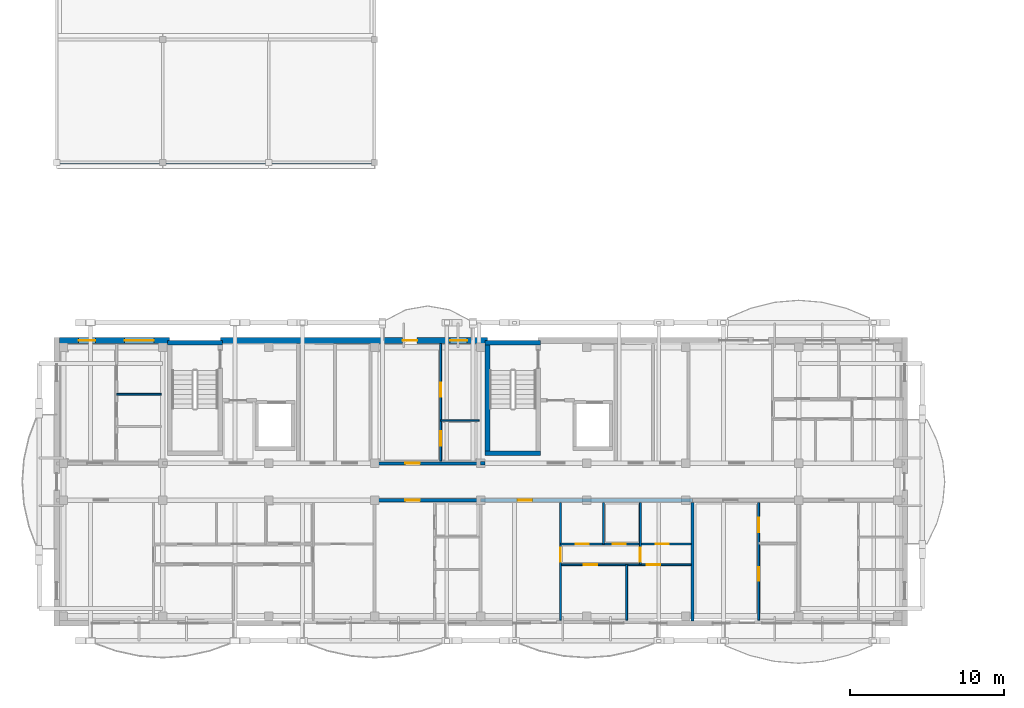
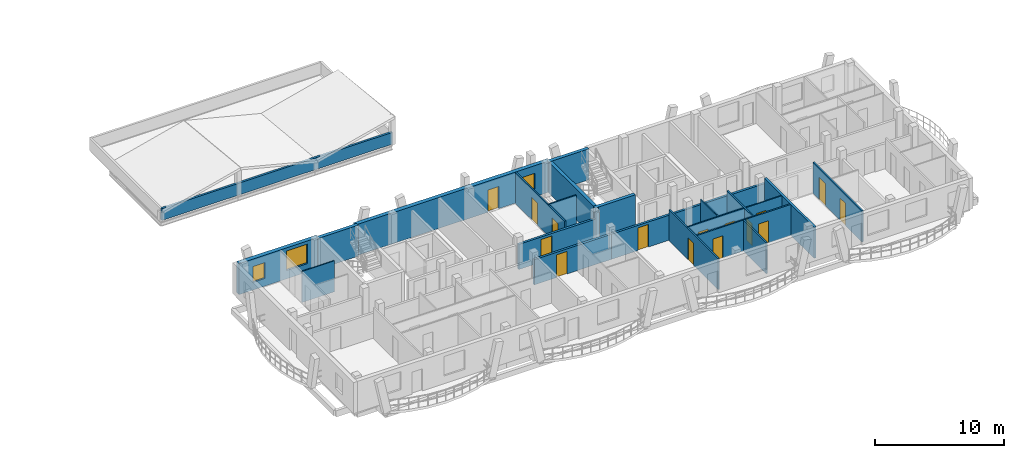
# One storey, part 19 of 50: 22 walls, 15 doors, 3 windows, 18 openings.
"""IFC4 building model written with IfcOpenShell, lengths in metres."""

import ifcopenshell
import ifcopenshell.guid

model = None  # the IFC model being written
_history = None  # IfcOwnerHistory: only IFC2X3 demands one
_inside = {}  # id of a spatial element -> (the spatial element, [elements in it])
_under = {}  # id of a project, library or spatial element -> (it, [spatial elements below it])
_declared = {}  # id of a project -> (the project, [libraries it declares])
_typed = {}  # id of a type object -> (the type object, [elements of that type])
_made_of = {}  # id of a material, layer set ... -> (it, [elements and type objects made of it])


def new_model(schema):
    """Start an empty IFC model of exactly this schema.

    Asked for "IFC4X3", IfcOpenShell would pick the latest addendum, in which some entities
    have other attributes; the version numbers below select the first issue.
    IFC2X3 requires an IfcOwnerHistory on every rooted entity: one is made here for all.
    """
    global model, _history
    if schema == "IFC4X3":
        model = ifcopenshell.file(schema_version=(4, 3, 0, 0))
    else:
        model = ifcopenshell.file(schema=schema)
    _inside.clear()
    _under.clear()
    _declared.clear()
    _typed.clear()
    _made_of.clear()
    _history = None
    if model.schema == "IFC2X3":
        org = make("IfcOrganization", Name="unknown")
        user = make(
            "IfcPersonAndOrganization",
            ThePerson=make("IfcPerson", FamilyName="unknown"),
            TheOrganization=org,
        )
        app = make(
            "IfcApplication",
            ApplicationDeveloper=org,
            Version="unknown",
            ApplicationFullName="unknown",
            ApplicationIdentifier="unknown",
        )
        _history = make(
            "IfcOwnerHistory",
            OwningUser=user,
            OwningApplication=app,
            ChangeAction="ADDED",
            CreationDate=0,
        )
    return model


def make(cls, **values):
    """One entity of the class cls with the attributes given. An attribute that is None is left unset."""
    return model.create_entity(
        cls, **{name: value for name, value in values.items() if value is not None}
    )


def rooted(cls, **values):
    """An entity with a GlobalId (a new one), such as an element, a storey or a relation."""
    return make(cls, GlobalId=ifcopenshell.guid.new(), OwnerHistory=_history, **values)


def si_unit(unit_type, name, prefix=None):
    """IfcSIUnit, for example si_unit("LENGTHUNIT", "METRE", prefix="MILLI")."""
    return make("IfcSIUnit", UnitType=unit_type, Prefix=prefix, Name=name)


def assignment(units):
    """IfcUnitAssignment: the units of a project."""
    return None if units is None else make("IfcUnitAssignment", Units=units)


def point(xyz):
    """IfcCartesianPoint."""
    return None if xyz is None else make("IfcCartesianPoint", Coordinates=xyz)


def direction(xyz):
    """IfcDirection."""
    return None if xyz is None else make("IfcDirection", DirectionRatios=xyz)


def frame(location, z_axis=None, x_axis=None):
    """IfcAxis2Placement3D, a coordinate frame: its origin and axes. An axis left out is left unset."""
    return make(
        "IfcAxis2Placement3D",
        Location=point(location),
        Axis=direction(z_axis),
        RefDirection=direction(x_axis),
    )


def frame_2d(location, x_axis=None):
    """IfcAxis2Placement2D, a coordinate frame in the plane: its origin and x axis."""
    return make(
        "IfcAxis2Placement2D", Location=point(location), RefDirection=direction(x_axis)
    )


def origin():
    """The frame at (0, 0, 0) with its axes left unset."""
    return frame((0.0, 0.0, 0.0))


def origin_with_axes():
    """The frame at (0, 0, 0) with the z axis (0, 0, 1) and the x axis (1, 0, 0) written out."""
    return frame((0.0, 0.0, 0.0), z_axis=(0.0, 0.0, 1.0), x_axis=(1.0, 0.0, 0.0))


def place(relative_to, where):
    """IfcLocalPlacement: puts the frame where relative to a parent placement (None: the world)."""
    return make(
        "IfcLocalPlacement", PlacementRelTo=relative_to, RelativePlacement=where
    )


def context(
    kind, dimensions, precision=None, world=None, true_north=None, identifier=None
):
    """IfcGeometricRepresentationContext, for example the 3D "Model" context."""
    return make(
        "IfcGeometricRepresentationContext",
        ContextIdentifier=identifier,
        ContextType=kind,
        CoordinateSpaceDimension=dimensions,
        Precision=precision,
        WorldCoordinateSystem=world,
        TrueNorth=true_north,
    )


def subcontext(parent, identifier, kind, view, scale=None):
    """IfcGeometricRepresentationSubContext, for example "Body" below "Model"."""
    return make(
        "IfcGeometricRepresentationSubContext",
        ContextIdentifier=identifier,
        ContextType=kind,
        ParentContext=parent,
        TargetScale=scale,
        TargetView=view,
    )


def project(units=None, contexts=None):
    """IfcProject with its units and contexts."""
    return rooted(
        "IfcProject",
        Name="project",
        RepresentationContexts=contexts,
        UnitsInContext=assignment(units),
    )


def spatial(cls, under=None, at=None, **own):
    """A site, building, storey or space (cls), placed at a placement, below another one or the project."""
    s = rooted(cls, ObjectPlacement=at, **own)
    if under is not None:
        _under.setdefault(under.id(), (under, []))[1].append(s)
    return s


def profile(cls, at=None, kind="AREA", **sizes):
    """A parametric profile (cls). Its sizes go by their IFC names, for example OverallWidth=200.0."""
    return make(cls, ProfileType=kind, Position=at, **sizes)


def rectangle(**sizes):
    """IfcRectangleProfileDef."""
    return profile("IfcRectangleProfileDef", **sizes)


def extrude(swept, where, along, depth):
    """IfcExtrudedAreaSolid: the profile swept, set in the frame where, extruded along a direction by depth."""
    return make(
        "IfcExtrudedAreaSolid",
        SweptArea=swept,
        Position=where,
        ExtrudedDirection=direction(along),
        Depth=depth,
    )


def shape(context_of_items, identifier, shape_type, items):
    """IfcShapeRepresentation: the items that make up one representation, for example the "Body"."""
    return make(
        "IfcShapeRepresentation",
        ContextOfItems=context_of_items,
        RepresentationIdentifier=identifier,
        RepresentationType=shape_type,
        Items=items,
    )


def material(Name=None, Category=None):
    """IfcMaterial."""
    return make("IfcMaterial", Name=Name, Category=Category)


def layer(
    of_material, thickness, ventilated=None, Name=None, Category=None, Priority=None
):
    """IfcMaterialLayer: one layer of a wall or slab, of a material (None: an air gap)."""
    return make(
        "IfcMaterialLayer",
        Material=of_material,
        LayerThickness=thickness,
        IsVentilated=ventilated,
        Name=Name,
        Category=Category,
        Priority=Priority,
    )


def layer_set(layers, Name=None):
    """IfcMaterialLayerSet."""
    return make("IfcMaterialLayerSet", MaterialLayers=layers, LayerSetName=Name)


def made_of(thing, what):
    """Note that an element or type object is made of a material, layer set ...; save() writes the relation."""
    if what is not None:
        _made_of.setdefault(what.id(), (what, []))[1].append(thing)
    return thing


def type_object(cls, material=None, **own):
    """A type object (cls), such as IfcWallType, which elements share."""
    return made_of(rooted(cls, **own), material)


def element(
    cls,
    number,
    at=None,
    inside=None,
    cuts=None,
    type_object=None,
    material=None,
    context=None,
    identifier="Body",
    shape_type=None,
    held_by="IfcProductDefinitionShape",
    body=None,
    shapes=None,
    **own,
):
    """One element of the class cls, such as IfcWall. Its Tag is "e" and its number.

    at: its placement. inside: the storey or other place that contains it. cuts: it is an
    opening in that element (IfcRelVoidsElement). A single representation is given by context,
    identifier, shape_type and body (its items); several are given by shapes. held_by: the class
    of the entity that holds the representations. save() writes the other relations.
    """
    e = rooted(cls, Tag="e%d" % number, ObjectPlacement=at, **own)
    if body is not None:
        shapes = [shape(context, identifier, shape_type, body)]
    if shapes is not None:
        e.Representation = make(held_by, Representations=shapes)
    if inside is not None:
        _inside.setdefault(inside.id(), (inside, []))[1].append(e)
    if cuts is not None:
        rooted(
            "IfcRelVoidsElement", RelatingBuildingElement=cuts, RelatedOpeningElement=e
        )
    if type_object is not None:
        _typed.setdefault(type_object.id(), (type_object, []))[1].append(e)
    return made_of(e, material)


def fill(opening, filler):
    """IfcRelFillsElement: the door or window that sits in an opening."""
    return rooted(
        "IfcRelFillsElement",
        RelatingOpeningElement=opening,
        RelatedBuildingElement=filler,
    )


def aggregate(whole, parts):
    """IfcRelAggregates: a whole, such as a stair, and the parts it consists of."""
    return rooted("IfcRelAggregates", RelatingObject=whole, RelatedObjects=parts)


def save(model, path):
    """Write the relations noted so far, then the file.

    IfcRelAggregates (storeys below a building ...), IfcRelContainedInSpatialStructure (elements
    in a storey), IfcRelDefinesByType, IfcRelAssociatesMaterial and IfcRelDeclares: one each for
    every whole, place, type object, material and project.
    """
    for whole, parts in _under.values():
        aggregate(whole, parts)
    for where, things in _inside.values():
        rooted(
            "IfcRelContainedInSpatialStructure",
            RelatedElements=things,
            RelatingStructure=where,
        )
    for kind, things in _typed.values():
        rooted("IfcRelDefinesByType", RelatedObjects=things, RelatingType=kind)
    for what, things in _made_of.values():
        rooted("IfcRelAssociatesMaterial", RelatedObjects=things, RelatingMaterial=what)
    for by, libraries in _declared.values():
        rooted("IfcRelDeclares", RelatingContext=by, RelatedDefinitions=libraries)
    model.write(path)


model = new_model("IFC4")

# Units and contexts
model_context = context("Model", 3, precision=1e-05, world=origin(), true_north=direction((0.0, 1.0)))
body_context = subcontext(model_context, "Body", "Model", "MODEL_VIEW")
ifc_project = project(units=[si_unit("LENGTHUNIT", "METRE"), si_unit("AREAUNIT", "SQUARE_METRE"), si_unit("VOLUMEUNIT", "CUBIC_METRE"), si_unit("PLANEANGLEUNIT", "RADIAN"), si_unit("MASSUNIT", "GRAM", prefix="KILO")], contexts=[model_context])

# Site, building, storey
site_placement = place(None, origin())
site = spatial("IfcSite", under=ifc_project, at=site_placement, CompositionType="ELEMENT")
building_placement = place(site_placement, origin())
building = spatial("IfcBuilding", under=site, at=building_placement, Name="Zavelmont Quarter", CompositionType="ELEMENT")
storey_placement = place(building_placement, frame((0.0, 0.0, 11.199951171875)))
storey = spatial("IfcBuildingStorey", under=building, at=storey_placement, Name="L03", CompositionType="ELEMENT", Elevation=11.199951171875)

# Wall, openings, windows
ifc_material_1 = material(Name="Natural Belgian limestone", Category="masonry")
ifc_layer_1 = layer(ifc_material_1, 0.360107421875)
ifc_layer_set_1 = layer_set([ifc_layer_1], Name="Natural Belgian limestone")
wall_type_1 = type_object("IfcWallType", Name="EW02", PredefinedType="STANDARD", material=ifc_layer_set_1)
wall_1_placement = place(storey_placement, frame((0.169921875, 18.39990234375, 0.0), z_axis=(0.0, 0.0, 1.0), x_axis=(1.0, 0.0, 0.0)))
wall_1 = element("IfcWall", 1, at=wall_1_placement, inside=storey, type_object=wall_type_1, Name="L03 exterior limestone wall EW02", PredefinedType="STANDARD", context=body_context, shape_type="SweptSolid", body=[
    extrude(rectangle(XDim=7.18017578125, YDim=0.360107421875, at=frame_2d((3.590087890625, 0.0))), origin(), (0.0, 0.0, 1.0), 2.93994140625),
])
opening_1_placement = place(wall_1_placement, frame((1.25, 0.0, 0.719970703125)))
opening_1 = element("IfcOpeningElement", 2, at=opening_1_placement, cuts=wall_1, Name="Opening WN09", PredefinedType="OPENING", context=body_context, shape_type="SweptSolid", body=[
    extrude(rectangle(XDim=1.10009765625, YDim=1.5, at=frame_2d((0.550048828125, 0.75))), frame((0.0, 0.19189453125, 0.0), z_axis=(0.0, -1.0, 0.0), x_axis=(1.0, 0.0, 0.0)), (0.0, 0.0, 1.0), 0.384033203125),
])
opening_2_placement = place(wall_1_placement, frame((4.25, 0.0, 0.800048828125)))
opening_2 = element("IfcOpeningElement", 3, at=opening_2_placement, cuts=wall_1, Name="Opening WN20", PredefinedType="OPENING", context=body_context, shape_type="SweptSolid", body=[
    extrude(rectangle(XDim=1.89990234375, YDim=1.85009765625, at=frame_2d((0.949951171875, 0.925048828125))), frame((0.0, 0.19189453125, 0.0), z_axis=(0.0, -1.0, 0.0), x_axis=(1.0, 0.0, 0.0)), (0.0, 0.0, 1.0), 0.384033203125),
])
ifc_material_2 = material(Name="Double low-E insulated glazing in thermally broken aluminium frame", Category="aluminium")
window_type_1 = type_object("IfcWindowType", Name="WN09", PartitioningType="SINGLE_PANEL", PredefinedType="WINDOW", material=ifc_material_2)
window_1_placement = place(opening_1_placement, origin_with_axes())
window_1 = element("IfcWindow", 4, at=window_1_placement, inside=storey, type_object=window_type_1, Name="L03 window WN09", OverallHeight=1.5, OverallWidth=1.10009765625, PartitioningType="SINGLE_PANEL", PredefinedType="WINDOW", context=body_context, shape_type="SweptSolid", body=[
    extrude(rectangle(XDim=1.10009765625, YDim=1.5, at=frame_2d((0.550048828125, 0.75))), frame((0.0, 0.030029296875, 0.0), z_axis=(0.0, -1.0, 0.0), x_axis=(1.0, 0.0, 0.0)), (0.0, 0.0, 1.0), 0.06005859375),
])
fill(opening_1, window_1)
window_type_2 = type_object("IfcWindowType", Name="WN20", PartitioningType="SINGLE_PANEL", PredefinedType="WINDOW", material=ifc_material_2)
window_2_placement = place(opening_2_placement, origin_with_axes())
window_2 = element("IfcWindow", 5, at=window_2_placement, inside=storey, type_object=window_type_2, Name="L03 window WN20", OverallHeight=1.85009765625, OverallWidth=1.89990234375, PartitioningType="SINGLE_PANEL", PredefinedType="WINDOW", context=body_context, shape_type="SweptSolid", body=[
    extrude(rectangle(XDim=1.89990234375, YDim=1.85009765625, at=frame_2d((0.949951171875, 0.925048828125))), frame((0.0, 0.030029296875, 0.0), z_axis=(0.0, -1.0, 0.0), x_axis=(1.0, 0.0, 0.0)), (0.0, 0.0, 1.0), 0.06005859375),
])
fill(opening_2, window_2)

# Wall, openings, door, window
wall_2_placement = place(storey_placement, frame((10.64990234375, 18.39990234375, 0.0), z_axis=(0.0, 0.0, 1.0), x_axis=(1.0, 0.0, 0.0)))
wall_2 = element("IfcWall", 6, at=wall_2_placement, inside=storey, type_object=wall_type_1, Name="L03 exterior limestone wall EW02", PredefinedType="STANDARD", context=body_context, shape_type="SweptSolid", body=[
    extrude(rectangle(XDim=17.400146484375, YDim=0.360107421875, at=frame_2d((8.7001953125, 0.0))), origin(), (0.0, 0.0, 1.0), 2.93994140625),
])
opening_3_placement = place(wall_2_placement, frame((11.8701171875, 0.0, 0.0)))
opening_3 = element("IfcOpeningElement", 7, at=opening_3_placement, cuts=wall_2, Name="Opening DR04", PredefinedType="OPENING", context=body_context, shape_type="SweptSolid", body=[
    extrude(rectangle(XDim=0.949951171875, YDim=2.10009765625, at=frame_2d((0.47509765625, 1.050048828125))), frame((0.0, 0.19189453125, 0.0), z_axis=(0.0, -1.0, 0.0), x_axis=(1.0, 0.0, 0.0)), (0.0, 0.0, 1.0), 0.384033203125),
])
opening_4_placement = place(wall_2_placement, frame((14.969970703125, 0.0, 0.719970703125)))
opening_4 = element("IfcOpeningElement", 8, at=opening_4_placement, cuts=wall_2, Name="Opening WN09", PredefinedType="OPENING", context=body_context, shape_type="SweptSolid", body=[
    extrude(rectangle(XDim=1.10009765625, YDim=1.5, at=frame_2d((0.550048828125, 0.75))), frame((0.0, 0.19189453125, 0.0), z_axis=(0.0, -1.0, 0.0), x_axis=(1.0, 0.0, 0.0)), (0.0, 0.0, 1.0), 0.384033203125),
])
ifc_material_3 = material(Name="Thermally broken aluminium and double safety glass", Category="aluminium")
door_type_1 = type_object("IfcDoorType", Name="DR04", OperationType="NOTDEFINED", PredefinedType="DOOR", material=ifc_material_3)
door_1_placement = place(opening_3_placement, frame((0.949951171875, 0.0, 0.0), z_axis=(0.0, 0.0, 1.0), x_axis=(-1.0, 0.0, 0.0)))
door_1 = element("IfcDoor", 9, at=door_1_placement, inside=storey, type_object=door_type_1, Name="Block A L03 glazed balcony door", OperationType="SINGLE_SWING_LEFT", OverallHeight=2.10009765625, OverallWidth=0.949951171875, PredefinedType="DOOR", context=body_context, shape_type="SweptSolid", body=[
    extrude(rectangle(XDim=0.949951171875, YDim=2.10009765625, at=frame_2d((0.47509765625, 1.050048828125))), frame((0.0, 0.02490234375, 0.0), z_axis=(0.0, -1.0, 0.0), x_axis=(1.0, 0.0, 0.0)), (0.0, 0.0, 1.0), 0.050048828125),
])
fill(opening_3, door_1)
window_3_placement = place(opening_4_placement, origin_with_axes())
window_3 = element("IfcWindow", 10, at=window_3_placement, inside=storey, type_object=window_type_1, Name="L03 window WN09", OverallHeight=1.5, OverallWidth=1.10009765625, PartitioningType="SINGLE_PANEL", PredefinedType="WINDOW", context=body_context, shape_type="SweptSolid", body=[
    extrude(rectangle(XDim=1.10009765625, YDim=1.5, at=frame_2d((0.550048828125, 0.75))), frame((0.0, 0.030029296875, 0.0), z_axis=(0.0, -1.0, 0.0), x_axis=(1.0, 0.0, 0.0)), (0.0, 0.0, 1.0), 0.06005859375),
])
fill(opening_4, window_3)

# Wall, opening, door
ifc_material_4 = material(Name="Calcium-silicate blockwork and acoustic plaster", Category="masonry")
ifc_layer_2 = layer(ifc_material_4, 0.199951171875)
ifc_layer_set_2 = layer_set([ifc_layer_2], Name="Calcium-silicate blockwork and acoustic plaster")
wall_type_2 = type_object("IfcWallType", Name="IW01", PredefinedType="PARTITIONING", material=ifc_layer_set_2)
wall_3_placement = place(storey_placement, frame((20.699951171875, 8.0, 0.0), z_axis=(0.0, 0.0, 1.0), x_axis=(1.0, 0.0, 0.0)))
wall_3 = element("IfcWall", 11, at=wall_3_placement, inside=storey, type_object=wall_type_2, Name="L03 Corridor compartment wall IW01", PredefinedType="PARTITIONING", context=body_context, shape_type="SweptSolid", body=[
    extrude(rectangle(XDim=6.900146484375, YDim=0.199951171875, at=frame_2d((3.4501953125, 0.0))), origin(), (0.0, 0.0, 1.0), 2.380126953125),
])
opening_5_placement = place(wall_3_placement, frame((2.0, 0.0, 0.0)))
opening_5 = element("IfcOpeningElement", 12, at=opening_5_placement, cuts=wall_3, Name="Opening DR02", PredefinedType="OPENING", context=body_context, shape_type="SweptSolid", body=[
    extrude(rectangle(XDim=0.949951171875, YDim=2.14990234375, at=frame_2d((0.47509765625, 1.074951171875))), frame((0.0, 0.11181640625, 0.0), z_axis=(0.0, -1.0, 0.0), x_axis=(1.0, 0.0, 0.0)), (0.0, 0.0, 1.0), 0.223876953125),
])
ifc_material_5 = material(Name="Solid-core oak fire leaf in steel frame", Category="steel")
door_type_2 = type_object("IfcDoorType", Name="DR02", OperationType="NOTDEFINED", PredefinedType="DOOR", material=ifc_material_5)
door_2_placement = place(opening_5_placement, frame((0.949951171875, 0.0, 0.0), z_axis=(0.0, 0.0, 1.0), x_axis=(-1.0, 0.0, 0.0)))
door_2 = element("IfcDoor", 13, at=door_2_placement, inside=storey, type_object=door_type_2, Name="L03 door DR02", OperationType="SINGLE_SWING_LEFT", OverallHeight=2.14990234375, OverallWidth=0.949951171875, PredefinedType="DOOR", context=body_context, shape_type="SweptSolid", body=[
    extrude(rectangle(XDim=0.949951171875, YDim=2.14990234375, at=frame_2d((0.47509765625, 1.074951171875))), frame((0.0, 0.02490234375, 0.0), z_axis=(0.0, -1.0, 0.0), x_axis=(1.0, 0.0, 0.0)), (0.0, 0.0, 1.0), 0.050048828125),
])
fill(opening_5, door_2)

# Wall
wall_4_placement = place(storey_placement, frame((41.39990234375, 7.85009765625, 0.0), z_axis=(0.0, 0.0, 1.0), x_axis=(0.0, -1.0, 0.0)))
element("IfcWall", 14, at=wall_4_placement, inside=storey, type_object=wall_type_2, Name="L03 Inter-dwelling compartment wall IW01", PredefinedType="PARTITIONING", context=body_context, shape_type="SweptSolid", body=[
    extrude(rectangle(XDim=7.7001953125, YDim=0.199951171875, at=frame_2d((3.85009765625, 0.0))), origin(), (0.0, 0.0, 1.0), 2.93994140625),
])

# Wall, opening, door
wall_5_placement = place(storey_placement, frame((27.60009765625, 8.0, 0.0), z_axis=(0.0, 0.0, 1.0), x_axis=(1.0, 0.0, 0.0)))
wall_5 = element("IfcWall", 15, at=wall_5_placement, inside=storey, type_object=wall_type_2, Name="L03 Corridor compartment wall IW01", PredefinedType="PARTITIONING", context=body_context, shape_type="SweptSolid", body=[
    extrude(rectangle(XDim=13.7998046875, YDim=0.199951171875, at=frame_2d((6.89990234375, 0.0))), origin(), (0.0, 0.0, 1.0), 2.380126953125),
])
opening_6_placement = place(wall_5_placement, frame((2.39990234375, 0.0, 0.0)))
opening_6 = element("IfcOpeningElement", 16, at=opening_6_placement, cuts=wall_5, Name="Opening DR02", PredefinedType="OPENING", context=body_context, shape_type="SweptSolid", body=[
    extrude(rectangle(XDim=0.949951171875, YDim=2.14990234375, at=frame_2d((0.47509765625, 1.074951171875))), frame((0.0, 0.11181640625, 0.0), z_axis=(0.0, -1.0, 0.0), x_axis=(1.0, 0.0, 0.0)), (0.0, 0.0, 1.0), 0.223876953125),
])
door_3_placement = place(opening_6_placement, frame((0.949951171875, 0.0, 0.0), z_axis=(0.0, 0.0, 1.0), x_axis=(-1.0, 0.0, 0.0)))
door_3 = element("IfcDoor", 17, at=door_3_placement, inside=storey, type_object=door_type_2, Name="L03 door DR02", OperationType="SINGLE_SWING_RIGHT", OverallHeight=2.14990234375, OverallWidth=0.949951171875, PredefinedType="DOOR", context=body_context, shape_type="SweptSolid", body=[
    extrude(rectangle(XDim=0.949951171875, YDim=2.14990234375, at=frame_2d((0.47509765625, 1.074951171875))), frame((0.0, 0.02490234375, 0.0), z_axis=(0.0, -1.0, 0.0), x_axis=(1.0, 0.0, 0.0)), (0.0, 0.0, 1.0), 0.050048828125),
])
fill(opening_6, door_3)

wall_6_placement = place(storey_placement, frame((20.699951171875, 10.39990234375, 0.0), z_axis=(0.0, 0.0, 1.0), x_axis=(1.0, 0.0, 0.0)))
wall_6 = element("IfcWall", 18, at=wall_6_placement, inside=storey, type_object=wall_type_2, Name="L03 Corridor compartment wall IW01", PredefinedType="PARTITIONING", context=body_context, shape_type="SweptSolid", body=[
    extrude(rectangle(XDim=6.900146484375, YDim=0.199951171875, at=frame_2d((3.4501953125, 0.0))), origin(), (0.0, 0.0, 1.0), 2.380126953125),
])
opening_7_placement = place(wall_6_placement, frame((2.0, 0.0, 0.0)))
opening_7 = element("IfcOpeningElement", 19, at=opening_7_placement, cuts=wall_6, Name="Opening DR02", PredefinedType="OPENING", context=body_context, shape_type="SweptSolid", body=[
    extrude(rectangle(XDim=0.949951171875, YDim=2.14990234375, at=frame_2d((0.47509765625, 1.074951171875))), frame((0.0, 0.11181640625, 0.0), z_axis=(0.0, -1.0, 0.0), x_axis=(1.0, 0.0, 0.0)), (0.0, 0.0, 1.0), 0.223876953125),
])
door_4_placement = place(opening_7_placement, origin_with_axes())
door_4 = element("IfcDoor", 20, at=door_4_placement, inside=storey, type_object=door_type_2, Name="L03 door DR02", OperationType="SINGLE_SWING_LEFT", OverallHeight=2.14990234375, OverallWidth=0.949951171875, PredefinedType="DOOR", context=body_context, shape_type="SweptSolid", body=[
    extrude(rectangle(XDim=0.949951171875, YDim=2.14990234375, at=frame_2d((0.47509765625, 1.074951171875))), frame((0.0, 0.02490234375, 0.0), z_axis=(0.0, -1.0, 0.0), x_axis=(1.0, 0.0, 0.0)), (0.0, 0.0, 1.0), 0.050048828125),
])
fill(opening_7, door_4)

# Wall
ifc_material_6 = material(Name="Reinforced masonry fire compartment wall", Category="masonry")
ifc_layer_3 = layer(ifc_material_6, 0.22509765625)
ifc_layer_set_3 = layer_set([ifc_layer_3], Name="Reinforced masonry fire compartment wall")
wall_type_3 = type_object("IfcWallType", Name="IW02", PredefinedType="PARTITIONING", material=ifc_layer_set_3)
wall_7_placement = place(storey_placement, frame((27.60009765625, 10.39990234375, 0.0), z_axis=(0.0, 0.0, 1.0), x_axis=(1.0, 0.0, 0.0)))
element("IfcWall", 21, at=wall_7_placement, inside=storey, type_object=wall_type_3, Name="L03 Core corridor wall IW02", PredefinedType="PARTITIONING", context=body_context, shape_type="SweptSolid", body=[
    extrude(rectangle(XDim=0.2998046875, YDim=0.22509765625, at=frame_2d((0.14990234375, 0.0))), origin(), (0.0, 0.0, 1.0), 2.93994140625),
])

# Wall, opening, door
ifc_material_7 = material(Name="Double gypsum board on acoustic steel stud", Category="steel")
ifc_layer_4 = layer(ifc_material_7, 0.125)
ifc_layer_set_4 = layer_set([ifc_layer_4], Name="Double gypsum board on acoustic steel stud")
wall_type_4 = type_object("IfcWallType", Name="IW03", PredefinedType="PARTITIONING", material=ifc_layer_set_4)
wall_8_placement = place(storey_placement, frame((32.800048828125, 7.85009765625, 0.0), z_axis=(0.0, 0.0, 1.0), x_axis=(0.0, -1.0, 0.0)))
wall_8 = element("IfcWall", 22, at=wall_8_placement, inside=storey, type_object=wall_type_4, Name="L03 Partition IW03", PredefinedType="PARTITIONING", context=body_context, shape_type="SweptSolid", body=[
    extrude(rectangle(XDim=7.650146484375, YDim=0.125, at=frame_2d((3.8251953125, 0.0))), origin(), (0.0, 0.0, 1.0), 2.93994140625),
])
opening_8_placement = place(wall_8_placement, frame((2.949951171875, 0.0, 0.0)))
opening_8 = element("IfcOpeningElement", 23, at=opening_8_placement, cuts=wall_8, Name="Opening DR05", PredefinedType="OPENING", context=body_context, shape_type="SweptSolid", body=[
    extrude(rectangle(XDim=0.89990234375, YDim=2.10009765625, at=frame_2d((0.449951171875, 1.050048828125))), frame((0.0, 0.074462890625, 0.0), z_axis=(0.0, -1.0, 0.0), x_axis=(1.0, 0.0, 0.0)), (0.0, 0.0, 1.0), 0.14892578125),
])
ifc_material_8 = material(Name="Engineered oak flush interior door")
door_type_3 = type_object("IfcDoorType", Name="DR05", OperationType="NOTDEFINED", PredefinedType="DOOR", material=ifc_material_8)
door_5_placement = place(opening_8_placement, frame((0.89990234375, 0.0, 0.0), z_axis=(0.0, 0.0, 1.0), x_axis=(-1.0, 0.0, 0.0)))
door_5 = element("IfcDoor", 24, at=door_5_placement, inside=storey, type_object=door_type_3, Name="L03 door DR05", OperationType="SINGLE_SWING_RIGHT", OverallHeight=2.10009765625, OverallWidth=0.89990234375, PredefinedType="DOOR", context=body_context, shape_type="SweptSolid", body=[
    extrude(rectangle(XDim=0.89990234375, YDim=2.10009765625, at=frame_2d((0.449951171875, 1.050048828125))), frame((0.0, 0.02490234375, 0.0), z_axis=(0.0, -1.0, 0.0), x_axis=(1.0, 0.0, 0.0)), (0.0, 0.0, 1.0), 0.050048828125),
])
fill(opening_8, door_5)

wall_9_placement = place(storey_placement, frame((38.0, 7.85009765625, 0.0), z_axis=(0.0, 0.0, 1.0), x_axis=(0.0, -1.0, 0.0)))
wall_9 = element("IfcWall", 25, at=wall_9_placement, inside=storey, type_object=wall_type_4, Name="L03 Partition IW03", PredefinedType="PARTITIONING", context=body_context, shape_type="SweptSolid", body=[
    extrude(rectangle(XDim=4.050048828125, YDim=0.125, at=frame_2d((2.02490234375, 0.0))), origin(), (0.0, 0.0, 1.0), 2.93994140625),
])
opening_9_placement = place(wall_9_placement, frame((2.949951171875, 0.0, 0.0)))
opening_9 = element("IfcOpeningElement", 26, at=opening_9_placement, cuts=wall_9, Name="Opening DR05", PredefinedType="OPENING", context=body_context, shape_type="SweptSolid", body=[
    extrude(rectangle(XDim=0.89990234375, YDim=2.10009765625, at=frame_2d((0.449951171875, 1.050048828125))), frame((0.0, 0.074462890625, 0.0), z_axis=(0.0, -1.0, 0.0), x_axis=(1.0, 0.0, 0.0)), (0.0, 0.0, 1.0), 0.14892578125),
])
door_6_placement = place(opening_9_placement, origin_with_axes())
door_6 = element("IfcDoor", 27, at=door_6_placement, inside=storey, type_object=door_type_3, Name="L03 door DR05", OperationType="SINGLE_SWING_LEFT", OverallHeight=2.10009765625, OverallWidth=0.89990234375, PredefinedType="DOOR", context=body_context, shape_type="SweptSolid", body=[
    extrude(rectangle(XDim=0.89990234375, YDim=2.10009765625, at=frame_2d((0.449951171875, 1.050048828125))), frame((0.0, 0.02490234375, 0.0), z_axis=(0.0, -1.0, 0.0), x_axis=(1.0, 0.0, 0.0)), (0.0, 0.0, 1.0), 0.050048828125),
])
fill(opening_9, door_6)

# Wall
wall_10_placement = place(storey_placement, frame((37.10009765625, 3.800048828125, 0.0), z_axis=(0.0, 0.0, 1.0), x_axis=(0.0, -1.0, 0.0)))
element("IfcWall", 28, at=wall_10_placement, inside=storey, type_object=wall_type_4, Name="L03 Partition IW03", PredefinedType="PARTITIONING", context=body_context, shape_type="SweptSolid", body=[
    extrude(rectangle(XDim=3.60009765625, YDim=0.125, at=frame_2d((1.800048828125, 0.0))), origin(), (0.0, 0.0, 1.0), 2.93994140625),
])

# Wall, openings, doors
wall_11_placement = place(storey_placement, frame((32.800048828125, 3.800048828125, 0.0), z_axis=(0.0, 0.0, 1.0), x_axis=(1.0, 0.0, 0.0)))
wall_11 = element("IfcWall", 29, at=wall_11_placement, inside=storey, type_object=wall_type_4, Name="L03 Partition IW03", PredefinedType="PARTITIONING", context=body_context, shape_type="SweptSolid", body=[
    extrude(rectangle(XDim=8.5, YDim=0.125, at=frame_2d((4.25, 0.0))), origin(), (0.0, 0.0, 1.0), 2.93994140625),
])
opening_10_placement = place(wall_11_placement, frame((1.5, 0.0, 0.0)))
opening_10 = element("IfcOpeningElement", 30, at=opening_10_placement, cuts=wall_11, Name="Opening DR05", PredefinedType="OPENING", context=body_context, shape_type="SweptSolid", body=[
    extrude(rectangle(XDim=0.89990234375, YDim=2.10009765625, at=frame_2d((0.449951171875, 1.050048828125))), frame((0.0, 0.074462890625, 0.0), z_axis=(0.0, -1.0, 0.0), x_axis=(1.0, 0.0, 0.0)), (0.0, 0.0, 1.0), 0.14892578125),
])
opening_11_placement = place(wall_11_placement, frame((5.60009765625, 0.0, 0.0)))
opening_11 = element("IfcOpeningElement", 31, at=opening_11_placement, cuts=wall_11, Name="Opening DR05", PredefinedType="OPENING", context=body_context, shape_type="SweptSolid", body=[
    extrude(rectangle(XDim=0.89990234375, YDim=2.10009765625, at=frame_2d((0.449951171875, 1.050048828125))), frame((0.0, 0.074462890625, 0.0), z_axis=(0.0, -1.0, 0.0), x_axis=(1.0, 0.0, 0.0)), (0.0, 0.0, 1.0), 0.14892578125),
])
door_7_placement = place(opening_10_placement, origin_with_axes())
door_7 = element("IfcDoor", 32, at=door_7_placement, inside=storey, type_object=door_type_3, Name="L03 door DR05", OperationType="SINGLE_SWING_LEFT", OverallHeight=2.10009765625, OverallWidth=0.89990234375, PredefinedType="DOOR", context=body_context, shape_type="SweptSolid", body=[
    extrude(rectangle(XDim=0.89990234375, YDim=2.10009765625, at=frame_2d((0.449951171875, 1.050048828125))), frame((0.0, 0.02490234375, 0.0), z_axis=(0.0, -1.0, 0.0), x_axis=(1.0, 0.0, 0.0)), (0.0, 0.0, 1.0), 0.050048828125),
])
fill(opening_10, door_7)
door_8_placement = place(opening_11_placement, frame((0.89990234375, 0.0, 0.0), z_axis=(0.0, 0.0, 1.0), x_axis=(-1.0, 0.0, 0.0)))
door_8 = element("IfcDoor", 33, at=door_8_placement, inside=storey, type_object=door_type_3, Name="L03 door DR05", OperationType="SINGLE_SWING_RIGHT", OverallHeight=2.10009765625, OverallWidth=0.89990234375, PredefinedType="DOOR", context=body_context, shape_type="SweptSolid", body=[
    extrude(rectangle(XDim=0.89990234375, YDim=2.10009765625, at=frame_2d((0.449951171875, 1.050048828125))), frame((0.0, 0.02490234375, 0.0), z_axis=(0.0, -1.0, 0.0), x_axis=(1.0, 0.0, 0.0)), (0.0, 0.0, 1.0), 0.050048828125),
])
fill(opening_11, door_8)

wall_12_placement = place(storey_placement, frame((45.699951171875, 7.85009765625, 0.0), z_axis=(0.0, 0.0, 1.0), x_axis=(0.0, -1.0, 0.0)))
wall_12 = element("IfcWall", 34, at=wall_12_placement, inside=storey, type_object=wall_type_4, Name="L03 Partition IW03", PredefinedType="PARTITIONING", context=body_context, shape_type="SweptSolid", body=[
    extrude(rectangle(XDim=7.650146484375, YDim=0.125, at=frame_2d((3.8251953125, 0.0))), origin(), (0.0, 0.0, 1.0), 2.93994140625),
])
opening_12_placement = place(wall_12_placement, frame((1.0, 0.0, 0.0)))
opening_12 = element("IfcOpeningElement", 35, at=opening_12_placement, cuts=wall_12, Name="Opening DR17", PredefinedType="OPENING", context=body_context, shape_type="SweptSolid", body=[
    extrude(rectangle(XDim=0.949951171875, YDim=2.10009765625, at=frame_2d((0.47509765625, 1.050048828125))), frame((0.0, 0.074462890625, 0.0), z_axis=(0.0, -1.0, 0.0), x_axis=(1.0, 0.0, 0.0)), (0.0, 0.0, 1.0), 0.14892578125),
])
opening_13_placement = place(wall_12_placement, frame((4.199951171875, 0.0, 0.0)))
opening_13 = element("IfcOpeningElement", 36, at=opening_13_placement, cuts=wall_12, Name="Opening DR05", PredefinedType="OPENING", context=body_context, shape_type="SweptSolid", body=[
    extrude(rectangle(XDim=0.89990234375, YDim=2.10009765625, at=frame_2d((0.449951171875, 1.050048828125))), frame((0.0, 0.074462890625, 0.0), z_axis=(0.0, -1.0, 0.0), x_axis=(1.0, 0.0, 0.0)), (0.0, 0.0, 1.0), 0.14892578125),
])
door_9_placement = place(opening_13_placement, origin_with_axes())
door_9 = element("IfcDoor", 37, at=door_9_placement, inside=storey, type_object=door_type_3, Name="L03 door DR05", OperationType="SINGLE_SWING_RIGHT", OverallHeight=2.10009765625, OverallWidth=0.89990234375, PredefinedType="DOOR", context=body_context, shape_type="SweptSolid", body=[
    extrude(rectangle(XDim=0.89990234375, YDim=2.10009765625, at=frame_2d((0.449951171875, 1.050048828125))), frame((0.0, 0.02490234375, 0.0), z_axis=(0.0, -1.0, 0.0), x_axis=(1.0, 0.0, 0.0)), (0.0, 0.0, 1.0), 0.050048828125),
])
fill(opening_13, door_9)
ifc_material_9 = material(Name="Accessible washroom flush door")
door_type_4 = type_object("IfcDoorType", Name="DR17", OperationType="NOTDEFINED", PredefinedType="DOOR", material=ifc_material_9)
door_10_placement = place(opening_12_placement, frame((0.949951171875, 0.0, 0.0), z_axis=(0.0, 0.0, 1.0), x_axis=(-1.0, 0.0, 0.0)))
door_10 = element("IfcDoor", 38, at=door_10_placement, inside=storey, type_object=door_type_4, Name="L03 door DR17", OperationType="SINGLE_SWING_LEFT", OverallHeight=2.10009765625, OverallWidth=0.949951171875, PredefinedType="DOOR", context=body_context, shape_type="SweptSolid", body=[
    extrude(rectangle(XDim=0.949951171875, YDim=2.10009765625, at=frame_2d((0.47509765625, 1.050048828125))), frame((0.0, 0.02490234375, 0.0), z_axis=(0.0, -1.0, 0.0), x_axis=(1.0, 0.0, 0.0)), (0.0, 0.0, 1.0), 0.050048828125),
])
fill(opening_12, door_10)

wall_13_placement = place(storey_placement, frame((25.0, 10.550048828125, 0.0), z_axis=(0.0, 0.0, 1.0), x_axis=(0.0, 1.0, 0.0)))
wall_13 = element("IfcWall", 39, at=wall_13_placement, inside=storey, type_object=wall_type_4, Name="L03 Partition IW03", PredefinedType="PARTITIONING", context=body_context, shape_type="SweptSolid", body=[
    extrude(rectangle(XDim=7.64990234375, YDim=0.125, at=frame_2d((3.824951171875, 0.0))), origin(), (0.0, 0.0, 1.0), 2.93994140625),
])
opening_14_placement = place(wall_13_placement, frame((1.0, 0.0, 0.0)))
opening_14 = element("IfcOpeningElement", 40, at=opening_14_placement, cuts=wall_13, Name="Opening DR17", PredefinedType="OPENING", context=body_context, shape_type="SweptSolid", body=[
    extrude(rectangle(XDim=0.949951171875, YDim=2.10009765625, at=frame_2d((0.47509765625, 1.050048828125))), frame((0.0, 0.074462890625, 0.0), z_axis=(0.0, -1.0, 0.0), x_axis=(1.0, 0.0, 0.0)), (0.0, 0.0, 1.0), 0.14892578125),
])
opening_15_placement = place(wall_13_placement, frame((4.199951171875, 0.0, 0.0)))
opening_15 = element("IfcOpeningElement", 41, at=opening_15_placement, cuts=wall_13, Name="Opening DR05", PredefinedType="OPENING", context=body_context, shape_type="SweptSolid", body=[
    extrude(rectangle(XDim=0.89990234375, YDim=2.10009765625, at=frame_2d((0.449951171875, 1.050048828125))), frame((0.0, 0.074462890625, 0.0), z_axis=(0.0, -1.0, 0.0), x_axis=(1.0, 0.0, 0.0)), (0.0, 0.0, 1.0), 0.14892578125),
])
door_11_placement = place(opening_15_placement, frame((0.89990234375, 0.0, 0.0), z_axis=(0.0, 0.0, 1.0), x_axis=(-1.0, 0.0, 0.0)))
door_11 = element("IfcDoor", 42, at=door_11_placement, inside=storey, type_object=door_type_3, Name="L03 door DR05", OperationType="SINGLE_SWING_RIGHT", OverallHeight=2.10009765625, OverallWidth=0.89990234375, PredefinedType="DOOR", context=body_context, shape_type="SweptSolid", body=[
    extrude(rectangle(XDim=0.89990234375, YDim=2.10009765625, at=frame_2d((0.449951171875, 1.050048828125))), frame((0.0, 0.02490234375, 0.0), z_axis=(0.0, -1.0, 0.0), x_axis=(1.0, 0.0, 0.0)), (0.0, 0.0, 1.0), 0.050048828125),
])
fill(opening_15, door_11)
door_12_placement = place(opening_14_placement, origin_with_axes())
door_12 = element("IfcDoor", 43, at=door_12_placement, inside=storey, type_object=door_type_4, Name="L03 door DR17", OperationType="SINGLE_SWING_LEFT", OverallHeight=2.10009765625, OverallWidth=0.949951171875, PredefinedType="DOOR", context=body_context, shape_type="SweptSolid", body=[
    extrude(rectangle(XDim=0.949951171875, YDim=2.10009765625, at=frame_2d((0.47509765625, 1.050048828125))), frame((0.0, 0.02490234375, 0.0), z_axis=(0.0, -1.0, 0.0), x_axis=(1.0, 0.0, 0.0)), (0.0, 0.0, 1.0), 0.050048828125),
])
fill(opening_14, door_12)

# Wall
ifc_material_10 = material(Name="Moisture-resistant gypsum board on steel stud", Category="steel")
ifc_layer_5 = layer(ifc_material_10, 0.10009765625)
ifc_layer_set_5 = layer_set([ifc_layer_5], Name="Moisture-resistant gypsum board on steel stud")
wall_type_5 = type_object("IfcWallType", Name="IW04", PredefinedType="PARTITIONING", material=ifc_layer_set_5)
wall_14_placement = place(storey_placement, frame((35.60009765625, 7.85009765625, 0.0), z_axis=(0.0, 0.0, 1.0), x_axis=(0.0, -1.0, 0.0)))
element("IfcWall", 44, at=wall_14_placement, inside=storey, type_object=wall_type_5, Name="L03 Partition IW04", PredefinedType="PARTITIONING", context=body_context, shape_type="SweptSolid", body=[
    extrude(rectangle(XDim=2.7001953125, YDim=0.10009765625, at=frame_2d((1.35009765625, 0.0))), origin(), (0.0, 0.0, 1.0), 2.93994140625),
])

# Wall, openings, doors
wall_15_placement = place(storey_placement, frame((32.800048828125, 5.14990234375, 0.0), z_axis=(0.0, 0.0, 1.0), x_axis=(1.0, 0.0, 0.0)))
wall_15 = element("IfcWall", 45, at=wall_15_placement, inside=storey, type_object=wall_type_5, Name="L03 Partition IW04", PredefinedType="PARTITIONING", context=body_context, shape_type="SweptSolid", body=[
    extrude(rectangle(XDim=8.5, YDim=0.10009765625, at=frame_2d((4.25, 0.0))), origin(), (0.0, 0.0, 1.0), 2.93994140625),
])
opening_16_placement = place(wall_15_placement, frame((1.0, 0.0, 0.0)))
opening_16 = element("IfcOpeningElement", 46, at=opening_16_placement, cuts=wall_15, Name="Opening DR16", PredefinedType="OPENING", context=body_context, shape_type="SweptSolid", body=[
    extrude(rectangle(XDim=0.85009765625, YDim=2.10009765625, at=frame_2d((0.425048828125, 1.050048828125))), frame((0.0, 0.06201171875, 0.0), z_axis=(0.0, -1.0, 0.0), x_axis=(1.0, 0.0, 0.0)), (0.0, 0.0, 1.0), 0.1240234375),
])
opening_17_placement = place(wall_15_placement, frame((3.39990234375, 0.0, 0.0)))
opening_17 = element("IfcOpeningElement", 47, at=opening_17_placement, cuts=wall_15, Name="Opening DR06", PredefinedType="OPENING", context=body_context, shape_type="SweptSolid", body=[
    extrude(rectangle(XDim=0.85009765625, YDim=2.050048828125, at=frame_2d((0.425048828125, 1.02490234375))), frame((0.0, 0.06201171875, 0.0), z_axis=(0.0, -1.0, 0.0), x_axis=(1.0, 0.0, 0.0)), (0.0, 0.0, 1.0), 0.1240234375),
])
opening_18_placement = place(wall_15_placement, frame((6.199951171875, 0.0, 0.0)))
opening_18 = element("IfcOpeningElement", 48, at=opening_18_placement, cuts=wall_15, Name="Opening DR06", PredefinedType="OPENING", context=body_context, shape_type="SweptSolid", body=[
    extrude(rectangle(XDim=0.85009765625, YDim=2.050048828125, at=frame_2d((0.425048828125, 1.02490234375))), frame((0.0, 0.06201171875, 0.0), z_axis=(0.0, -1.0, 0.0), x_axis=(1.0, 0.0, 0.0)), (0.0, 0.0, 1.0), 0.1240234375),
])
ifc_material_11 = material(Name="Moisture-resistant painted wet-room door")
door_type_5 = type_object("IfcDoorType", Name="DR06", OperationType="NOTDEFINED", PredefinedType="DOOR", material=ifc_material_11)
door_13_placement = place(opening_17_placement, origin_with_axes())
door_13 = element("IfcDoor", 49, at=door_13_placement, inside=storey, type_object=door_type_5, Name="L03 door DR06", OperationType="SINGLE_SWING_LEFT", OverallHeight=2.050048828125, OverallWidth=0.85009765625, PredefinedType="DOOR", context=body_context, shape_type="SweptSolid", body=[
    extrude(rectangle(XDim=0.85009765625, YDim=2.050048828125, at=frame_2d((0.425048828125, 1.02490234375))), frame((0.0, 0.02490234375, 0.0), z_axis=(0.0, -1.0, 0.0), x_axis=(1.0, 0.0, 0.0)), (0.0, 0.0, 1.0), 0.050048828125),
])
fill(opening_17, door_13)
door_14_placement = place(opening_18_placement, frame((0.85009765625, 0.0, 0.0), z_axis=(0.0, 0.0, 1.0), x_axis=(-1.0, 0.0, 0.0)))
door_14 = element("IfcDoor", 50, at=door_14_placement, inside=storey, type_object=door_type_5, Name="L03 door DR06", OperationType="SINGLE_SWING_RIGHT", OverallHeight=2.050048828125, OverallWidth=0.85009765625, PredefinedType="DOOR", context=body_context, shape_type="SweptSolid", body=[
    extrude(rectangle(XDim=0.85009765625, YDim=2.050048828125, at=frame_2d((0.425048828125, 1.02490234375))), frame((0.0, 0.02490234375, 0.0), z_axis=(0.0, -1.0, 0.0), x_axis=(1.0, 0.0, 0.0)), (0.0, 0.0, 1.0), 0.050048828125),
])
fill(opening_18, door_14)
door_type_6 = type_object("IfcDoorType", Name="DR16", OperationType="NOTDEFINED", PredefinedType="DOOR", material=ifc_material_8)
door_15_placement = place(opening_16_placement, frame((0.85009765625, 0.0, 0.0), z_axis=(0.0, 0.0, 1.0), x_axis=(-1.0, 0.0, 0.0)))
door_15 = element("IfcDoor", 51, at=door_15_placement, inside=storey, type_object=door_type_6, Name="L03 door DR16", OperationType="SINGLE_SWING_RIGHT", OverallHeight=2.10009765625, OverallWidth=0.85009765625, PredefinedType="DOOR", context=body_context, shape_type="SweptSolid", body=[
    extrude(rectangle(XDim=0.85009765625, YDim=2.10009765625, at=frame_2d((0.425048828125, 1.050048828125))), frame((0.0, 0.02490234375, 0.0), z_axis=(0.0, -1.0, 0.0), x_axis=(1.0, 0.0, 0.0)), (0.0, 0.0, 1.0), 0.050048828125),
])
fill(opening_16, door_15)

# Walls
wall_16_placement = place(storey_placement, frame((3.89990234375, 14.89990234375, 0.0), z_axis=(0.0, 0.0, 1.0), x_axis=(1.0, 0.0, 0.0)))
element("IfcWall", 52, at=wall_16_placement, inside=storey, type_object=wall_type_5, Name="L03 Partition IW04", PredefinedType="PARTITIONING", context=body_context, shape_type="SweptSolid", body=[
    extrude(rectangle(XDim=2.900146484375, YDim=0.10009765625, at=frame_2d((1.4501953125, 0.0))), origin(), (0.0, 0.0, 1.0), 2.93994140625),
])
wall_17_placement = place(storey_placement, frame((25.0, 13.199951171875, 0.0), z_axis=(0.0, 0.0, 1.0), x_axis=(1.0, 0.0, 0.0)))
element("IfcWall", 53, at=wall_17_placement, inside=storey, type_object=wall_type_5, Name="L03 Partition IW04", PredefinedType="PARTITIONING", context=body_context, shape_type="SweptSolid", body=[
    extrude(rectangle(XDim=2.5, YDim=0.10009765625, at=frame_2d((1.25, 0.0))), origin(), (0.0, 0.0, 1.0), 2.93994140625),
])
ifc_layer_6 = layer(ifc_material_1, 0.18994140625)
ifc_layer_set_6 = layer_set([ifc_layer_6], Name="Natural Belgian limestone")
wall_type_6 = type_object("IfcWallType", Name="PW03", PredefinedType="PARAPET", material=ifc_layer_set_6)
wall_18_placement = place(storey_placement, frame((0.0, 30.0, 0.0), z_axis=(0.0, 0.0, 1.0), x_axis=(1.0, 0.0, 0.0)))
element("IfcWall", 54, at=wall_18_placement, inside=storey, type_object=wall_type_6, Name="L03 roof parapet PW03", PredefinedType="PARAPET", context=body_context, shape_type="SweptSolid", body=[
    extrude(rectangle(XDim=20.699951171875, YDim=0.18994140625, at=frame_2d((10.35009765625, 0.0))), origin(), (0.0, 0.0, 1.0), 1.1201171875),
])
ifc_material_12 = material(Name="Concrete C40/50", Category="concrete")
ifc_layer_7 = layer(ifc_material_12, 0.300048828125)
ifc_layer_set_7 = layer_set([ifc_layer_7], Name="Concrete C40/50")
wall_type_7 = type_object("IfcWallType", Name="SW01", PredefinedType="SHEAR", material=ifc_layer_set_7)
wall_19_placement = place(storey_placement, frame((27.89990234375, 11.050048828125, 0.0), z_axis=(0.0, 0.0, 1.0), x_axis=(1.0, 0.0, 0.0)))
element("IfcWall", 55, at=wall_19_placement, inside=storey, type_object=wall_type_7, Name="L03 ST02 corridor shear wall SW01", PredefinedType="SHEAR", context=body_context, shape_type="SweptSolid", body=[
    extrude(rectangle(XDim=3.60009765625, YDim=0.300048828125, at=frame_2d((1.800048828125, 0.0))), origin(), (0.0, 0.0, 1.0), 2.93994140625),
])
wall_20_placement = place(storey_placement, frame((28.050048828125, 10.89990234375, 0.0), z_axis=(0.0, 0.0, 1.0), x_axis=(0.0, 1.0, 0.0)))
element("IfcWall", 56, at=wall_20_placement, inside=storey, type_object=wall_type_7, Name="L03 ST02 west shear wall SW01", PredefinedType="SHEAR", context=body_context, shape_type="SweptSolid", body=[
    extrude(rectangle(XDim=7.5, YDim=0.300048828125, at=frame_2d((3.75, 0.0))), origin(), (0.0, 0.0, 1.0), 2.93994140625),
])
ifc_layer_8 = layer(ifc_material_12, 0.300048828125)
ifc_layer_set_8 = layer_set([ifc_layer_8], Name="Concrete C40/50")
wall_type_8 = type_object("IfcWallType", Name="SW03", PredefinedType="SHEAR", material=ifc_layer_set_8)
for number, where, z_axis, x_axis, name in (
    (57, (7.199951171875, 18.25, 0.0), (0.0, 0.0, 1.0), (1.0, 0.0, 0.0), "L03 ST01 outer shear wall SW03"),
    (58, (27.89990234375, 18.25, 0.0), (0.0, 0.0, 1.0), (1.0, 0.0, 0.0), "L03 ST02 outer shear wall SW03"),
):
    element("IfcWall", number, at=place(storey_placement, frame(where, z_axis=z_axis, x_axis=x_axis)), inside=storey, type_object=wall_type_8, Name=name, PredefinedType="SHEAR", context=body_context, shape_type="SweptSolid", body=[
        extrude(rectangle(XDim=3.60009765625, YDim=0.300048828125, at=frame_2d((1.800048828125, 0.0))), origin(), (0.0, 0.0, 1.0), 2.93994140625),
    ])

save(model, "model.ifc")
